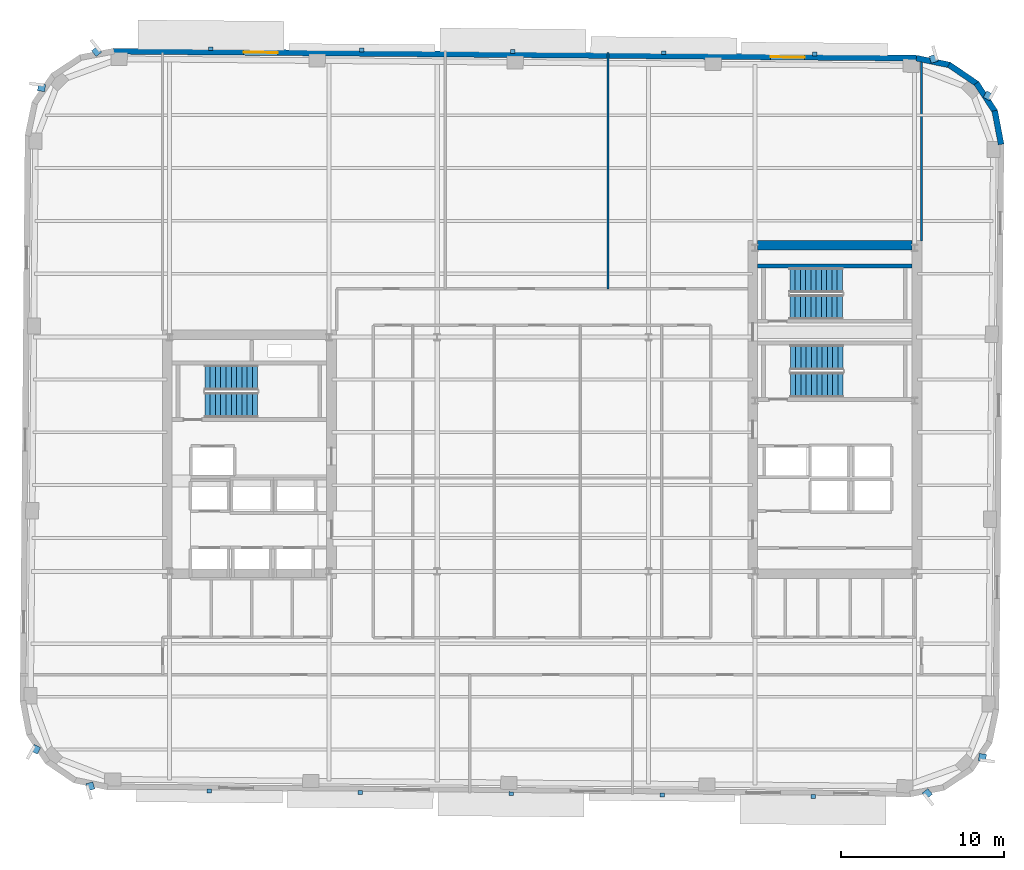
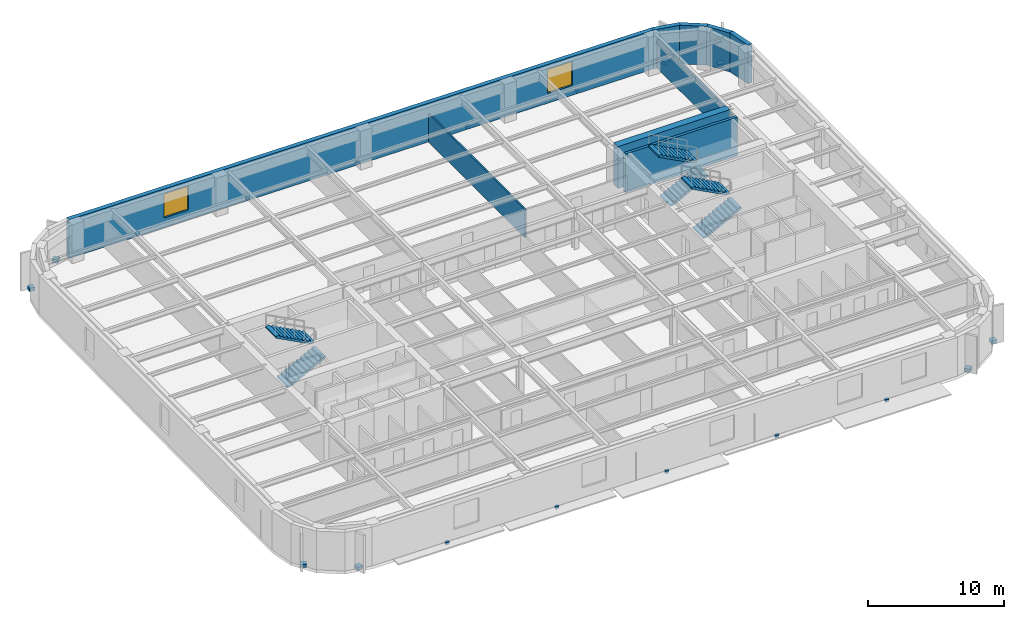
# One storey, part 7 of 12: 18 discrete accessories, 9 walls, 6 stair flights, 2 windows, 2 openings, 3 elements without a shape of their own.
"""IFC4 building model written with IfcOpenShell, lengths in metres."""

import ifcopenshell
import ifcopenshell.guid

model = None  # the IFC model being written
_history = None  # IfcOwnerHistory: only IFC2X3 demands one
_inside = {}  # id of a spatial element -> (the spatial element, [elements in it])
_under = {}  # id of a project, library or spatial element -> (it, [spatial elements below it])
_declared = {}  # id of a project -> (the project, [libraries it declares])
_typed = {}  # id of a type object -> (the type object, [elements of that type])
_made_of = {}  # id of a material, layer set ... -> (it, [elements and type objects made of it])


def new_model(schema):
    """Start an empty IFC model of exactly this schema.

    Asked for "IFC4X3", IfcOpenShell would pick the latest addendum, in which some entities
    have other attributes; the version numbers below select the first issue.
    IFC2X3 requires an IfcOwnerHistory on every rooted entity: one is made here for all.
    """
    global model, _history
    if schema == "IFC4X3":
        model = ifcopenshell.file(schema_version=(4, 3, 0, 0))
    else:
        model = ifcopenshell.file(schema=schema)
    _inside.clear()
    _under.clear()
    _declared.clear()
    _typed.clear()
    _made_of.clear()
    _history = None
    if model.schema == "IFC2X3":
        org = make("IfcOrganization", Name="unknown")
        user = make(
            "IfcPersonAndOrganization",
            ThePerson=make("IfcPerson", FamilyName="unknown"),
            TheOrganization=org,
        )
        app = make(
            "IfcApplication",
            ApplicationDeveloper=org,
            Version="unknown",
            ApplicationFullName="unknown",
            ApplicationIdentifier="unknown",
        )
        _history = make(
            "IfcOwnerHistory",
            OwningUser=user,
            OwningApplication=app,
            ChangeAction="ADDED",
            CreationDate=0,
        )
    return model


def make(cls, **values):
    """One entity of the class cls with the attributes given. An attribute that is None is left unset."""
    return model.create_entity(
        cls, **{name: value for name, value in values.items() if value is not None}
    )


def rooted(cls, **values):
    """An entity with a GlobalId (a new one), such as an element, a storey or a relation."""
    return make(cls, GlobalId=ifcopenshell.guid.new(), OwnerHistory=_history, **values)


def si_unit(unit_type, name, prefix=None):
    """IfcSIUnit, for example si_unit("LENGTHUNIT", "METRE", prefix="MILLI")."""
    return make("IfcSIUnit", UnitType=unit_type, Prefix=prefix, Name=name)


def assignment(units):
    """IfcUnitAssignment: the units of a project."""
    return None if units is None else make("IfcUnitAssignment", Units=units)


def point(xyz):
    """IfcCartesianPoint."""
    return None if xyz is None else make("IfcCartesianPoint", Coordinates=xyz)


def direction(xyz):
    """IfcDirection."""
    return None if xyz is None else make("IfcDirection", DirectionRatios=xyz)


def frame(location, z_axis=None, x_axis=None):
    """IfcAxis2Placement3D, a coordinate frame: its origin and axes. An axis left out is left unset."""
    return make(
        "IfcAxis2Placement3D",
        Location=point(location),
        Axis=direction(z_axis),
        RefDirection=direction(x_axis),
    )


def frame_2d(location, x_axis=None):
    """IfcAxis2Placement2D, a coordinate frame in the plane: its origin and x axis."""
    return make(
        "IfcAxis2Placement2D", Location=point(location), RefDirection=direction(x_axis)
    )


def origin():
    """The frame at (0, 0, 0) with its axes left unset."""
    return frame((0.0, 0.0, 0.0))


def origin_2d():
    """The frame at (0, 0) in the plane with its x axis left unset."""
    return frame_2d((0.0, 0.0))


def place(relative_to, where):
    """IfcLocalPlacement: puts the frame where relative to a parent placement (None: the world)."""
    return make(
        "IfcLocalPlacement", PlacementRelTo=relative_to, RelativePlacement=where
    )


def context(
    kind, dimensions, precision=None, world=None, true_north=None, identifier=None
):
    """IfcGeometricRepresentationContext, for example the 3D "Model" context."""
    return make(
        "IfcGeometricRepresentationContext",
        ContextIdentifier=identifier,
        ContextType=kind,
        CoordinateSpaceDimension=dimensions,
        Precision=precision,
        WorldCoordinateSystem=world,
        TrueNorth=true_north,
    )


def subcontext(parent, identifier, kind, view, scale=None):
    """IfcGeometricRepresentationSubContext, for example "Body" below "Model"."""
    return make(
        "IfcGeometricRepresentationSubContext",
        ContextIdentifier=identifier,
        ContextType=kind,
        ParentContext=parent,
        TargetScale=scale,
        TargetView=view,
    )


def project(units=None, contexts=None):
    """IfcProject with its units and contexts."""
    return rooted(
        "IfcProject",
        Name="project",
        RepresentationContexts=contexts,
        UnitsInContext=assignment(units),
    )


def spatial(cls, under=None, at=None, **own):
    """A site, building, storey or space (cls), placed at a placement, below another one or the project."""
    s = rooted(cls, ObjectPlacement=at, **own)
    if under is not None:
        _under.setdefault(under.id(), (under, []))[1].append(s)
    return s


def polyline(points):
    """IfcPolyline through the points."""
    return make("IfcPolyline", Points=[point(p) for p in points])


def profile(cls, at=None, kind="AREA", **sizes):
    """A parametric profile (cls). Its sizes go by their IFC names, for example OverallWidth=200.0."""
    return make(cls, ProfileType=kind, Position=at, **sizes)


def rectangle(**sizes):
    """IfcRectangleProfileDef."""
    return profile("IfcRectangleProfileDef", **sizes)


def outline(outer, holes=None, kind="AREA"):
    """IfcArbitraryClosedProfileDef: a profile drawn as a closed curve; with holes, ...WithVoids."""
    if holes is None:
        return make("IfcArbitraryClosedProfileDef", ProfileType=kind, OuterCurve=outer)
    return make(
        "IfcArbitraryProfileDefWithVoids",
        ProfileType=kind,
        OuterCurve=outer,
        InnerCurves=holes,
    )


def extrude(swept, where, along, depth):
    """IfcExtrudedAreaSolid: the profile swept, set in the frame where, extruded along a direction by depth."""
    return make(
        "IfcExtrudedAreaSolid",
        SweptArea=swept,
        Position=where,
        ExtrudedDirection=direction(along),
        Depth=depth,
    )


def shape(context_of_items, identifier, shape_type, items):
    """IfcShapeRepresentation: the items that make up one representation, for example the "Body"."""
    return make(
        "IfcShapeRepresentation",
        ContextOfItems=context_of_items,
        RepresentationIdentifier=identifier,
        RepresentationType=shape_type,
        Items=items,
    )


def material(Name=None, Category=None):
    """IfcMaterial."""
    return make("IfcMaterial", Name=Name, Category=Category)


def layer(
    of_material, thickness, ventilated=None, Name=None, Category=None, Priority=None
):
    """IfcMaterialLayer: one layer of a wall or slab, of a material (None: an air gap)."""
    return make(
        "IfcMaterialLayer",
        Material=of_material,
        LayerThickness=thickness,
        IsVentilated=ventilated,
        Name=Name,
        Category=Category,
        Priority=Priority,
    )


def layer_set(layers, Name=None):
    """IfcMaterialLayerSet."""
    return make("IfcMaterialLayerSet", MaterialLayers=layers, LayerSetName=Name)


def made_of(thing, what):
    """Note that an element or type object is made of a material, layer set ...; save() writes the relation."""
    if what is not None:
        _made_of.setdefault(what.id(), (what, []))[1].append(thing)
    return thing


def type_object(cls, material=None, **own):
    """A type object (cls), such as IfcWallType, which elements share."""
    return made_of(rooted(cls, **own), material)


def element(
    cls,
    number,
    at=None,
    inside=None,
    cuts=None,
    type_object=None,
    material=None,
    context=None,
    identifier="Body",
    shape_type=None,
    held_by="IfcProductDefinitionShape",
    body=None,
    shapes=None,
    **own,
):
    """One element of the class cls, such as IfcWall. Its Tag is "e" and its number.

    at: its placement. inside: the storey or other place that contains it. cuts: it is an
    opening in that element (IfcRelVoidsElement). A single representation is given by context,
    identifier, shape_type and body (its items); several are given by shapes. held_by: the class
    of the entity that holds the representations. save() writes the other relations.
    """
    e = rooted(cls, Tag="e%d" % number, ObjectPlacement=at, **own)
    if body is not None:
        shapes = [shape(context, identifier, shape_type, body)]
    if shapes is not None:
        e.Representation = make(held_by, Representations=shapes)
    if inside is not None:
        _inside.setdefault(inside.id(), (inside, []))[1].append(e)
    if cuts is not None:
        rooted(
            "IfcRelVoidsElement", RelatingBuildingElement=cuts, RelatedOpeningElement=e
        )
    if type_object is not None:
        _typed.setdefault(type_object.id(), (type_object, []))[1].append(e)
    return made_of(e, material)


def fill(opening, filler):
    """IfcRelFillsElement: the door or window that sits in an opening."""
    return rooted(
        "IfcRelFillsElement",
        RelatingOpeningElement=opening,
        RelatedBuildingElement=filler,
    )


def aggregate(whole, parts):
    """IfcRelAggregates: a whole, such as a stair, and the parts it consists of."""
    return rooted("IfcRelAggregates", RelatingObject=whole, RelatedObjects=parts)


def save(model, path):
    """Write the relations noted so far, then the file.

    IfcRelAggregates (storeys below a building ...), IfcRelContainedInSpatialStructure (elements
    in a storey), IfcRelDefinesByType, IfcRelAssociatesMaterial and IfcRelDeclares: one each for
    every whole, place, type object, material and project.
    """
    for whole, parts in _under.values():
        aggregate(whole, parts)
    for where, things in _inside.values():
        rooted(
            "IfcRelContainedInSpatialStructure",
            RelatedElements=things,
            RelatingStructure=where,
        )
    for kind, things in _typed.values():
        rooted("IfcRelDefinesByType", RelatedObjects=things, RelatingType=kind)
    for what, things in _made_of.values():
        rooted("IfcRelAssociatesMaterial", RelatedObjects=things, RelatingMaterial=what)
    for by, libraries in _declared.values():
        rooted("IfcRelDeclares", RelatingContext=by, RelatedDefinitions=libraries)
    model.write(path)


model = new_model("IFC4")

# Units and contexts
model_context = context("Model", 3, precision=1e-05, world=origin(), true_north=direction((0.0, 1.0)))
body_context = subcontext(model_context, "Body", "Model", "MODEL_VIEW")
ifc_project = project(units=[si_unit("LENGTHUNIT", "METRE"), si_unit("AREAUNIT", "SQUARE_METRE"), si_unit("VOLUMEUNIT", "CUBIC_METRE"), si_unit("PLANEANGLEUNIT", "RADIAN"), si_unit("MASSUNIT", "GRAM", prefix="KILO")], contexts=[model_context])

# Site, building, storey
site_placement = place(None, origin())
site = spatial("IfcSite", under=ifc_project, at=site_placement, CompositionType="ELEMENT")
building_placement = place(site_placement, origin())
building = spatial("IfcBuilding", under=site, at=building_placement, Name="Kolvaren Arena Tower", CompositionType="ELEMENT")
storey_placement = place(building_placement, frame((0.0, 0.0, 165.949951171875)))
storey = spatial("IfcBuildingStorey", under=building, at=storey_placement, Name="L39", CompositionType="ELEMENT", Elevation=165.949951171875)

# Walls
ifc_material_1 = material(Name="Concrete 60 MPa", Category="concrete")
ifc_layer_1 = layer(ifc_material_1, 0.60009765625)
ifc_layer_set_1 = layer_set([ifc_layer_1], Name="Concrete 60 MPa")
wall_type_1 = type_object("IfcWallType", Name="CWALL-600", PredefinedType="SHEAR", material=ifc_layer_set_1)
wall_1_placement = place(storey_placement, frame((50.699951171875, 39.5, -0.27001953125), z_axis=(0.0, 0.0, 1.0), x_axis=(1.0, 0.0, 0.0)))
element("IfcWall", 1, at=wall_1_placement, inside=storey, type_object=wall_type_1, Name="Core Shear Wall EC-NORTH (L39)", PredefinedType="SHEAR", context=body_context, shape_type="SweptSolid", body=[
    extrude(rectangle(XDim=9.5, YDim=0.60009765625, at=frame_2d((4.75, 0.0))), origin(), (0.0, 0.0, 1.0), 3.75),
])
ifc_material_2 = material(Name="Precast concrete C50/60", Category="concrete")
ifc_layer_2 = layer(ifc_material_2, 0.360107421875)
ifc_layer_set_2 = layer_set([ifc_layer_2], Name="Precast concrete C50/60")
wall_type_2 = type_object("IfcWallType", Name="EXT-PIER2", PredefinedType="SOLIDWALL", material=ifc_layer_set_2)
wall_2_placement = place(storey_placement, frame((65.281005859375, 47.773193359375, 0.0), z_axis=(0.0, 0.0, 1.0), x_axis=(0.186435855703, -0.98246713518, 0.0)))
element("IfcWall", 2, at=wall_2_placement, inside=storey, type_object=wall_type_2, Name="Exterior Precast Masonry-Frame Wall (L39)", PredefinedType="SOLIDWALL", context=body_context, shape_type="SweptSolid", body=[
    extrude(rectangle(XDim=2.10693359375, YDim=0.360107421875, at=frame_2d((1.053466796875, 0.0))), origin(), (0.0, 0.0, 1.0), 3.47998046875),
])
wall_3_placement = place(storey_placement, frame((64.152099609375, 49.469970703125, 0.0), z_axis=(0.0, 0.0, 1.0), x_axis=(0.548238722478, -0.83632188969, 0.0)))
element("IfcWall", 3, at=wall_3_placement, inside=storey, type_object=wall_type_2, Name="Exterior Precast Masonry-Frame Wall (L39)", PredefinedType="SOLIDWALL", context=body_context, shape_type="SweptSolid", body=[
    extrude(rectangle(XDim=2.106689453125, YDim=0.360107421875, at=frame_2d((1.05322265625, 0.0))), origin(), (0.0, 0.0, 1.0), 3.47998046875),
])
wall_4_placement = place(storey_placement, frame((62.45947265625, 50.605712890625, 0.0), z_axis=(0.0, 0.0, 1.0), x_axis=(0.826609569219, -0.56277581689, 0.0)))
element("IfcWall", 4, at=wall_4_placement, inside=storey, type_object=wall_type_2, Name="Exterior Precast Masonry-Frame Wall (L39)", PredefinedType="SOLIDWALL", context=body_context, shape_type="SweptSolid", body=[
    extrude(rectangle(XDim=2.10693359375, YDim=0.360107421875, at=frame_2d((1.053466796875, 0.0))), origin(), (0.0, 0.0, 1.0), 3.47998046875),
])
wall_5_placement = place(storey_placement, frame((60.461181640625, 51.00732421875, 0.0), z_axis=(0.0, 0.0, 1.0), x_axis=(0.979059388908, -0.203574833883, 0.0)))
element("IfcWall", 5, at=wall_5_placement, inside=storey, type_object=wall_type_2, Name="Exterior Precast Masonry-Frame Wall (L39)", PredefinedType="SOLIDWALL", context=body_context, shape_type="SweptSolid", body=[
    extrude(rectangle(XDim=2.107177734375, YDim=0.360107421875, at=frame_2d((1.0537109375, 0.0))), origin(), (0.0, 0.0, 1.0), 3.47998046875),
])

# Wall, openings, windows
wall_6_placement = place(storey_placement, frame((11.098388671875, 51.434814453125, 0.0), z_axis=(0.0, 0.0, 1.0), x_axis=(0.99996191194, -0.008727810138, 0.0)))
wall_6 = element("IfcWall", 6, at=wall_6_placement, inside=storey, type_object=wall_type_2, Name="Exterior Precast Masonry-Frame Wall (L39)", PredefinedType="SOLIDWALL", context=body_context, shape_type="SweptSolid", body=[
    extrude(rectangle(XDim=49.39990234375, YDim=0.360107421875, at=frame_2d((24.699951171875, 0.0))), origin(), (0.0, 0.0, 1.0), 3.47998046875),
])
opening_1_placement = place(wall_6_placement, frame((8.0, 0.0, 0.8798828125)))
opening_1 = element("IfcOpeningElement", 7, at=opening_1_placement, cuts=wall_6, Name="Opening W01", PredefinedType="OPENING", context=body_context, shape_type="SweptSolid", body=[
    extrude(rectangle(XDim=2.10009765625, YDim=2.14990234375, at=frame_2d((1.050048828125, 1.074951171875))), frame((0.0, 0.18994140625, 0.0), z_axis=(0.0, -1.0, 0.0), x_axis=(1.0, 0.0, 0.0)), (0.0, 0.0, 1.0), 0.380126953125),
])
opening_2_placement = place(wall_6_placement, frame((40.39990234375, 0.0, 0.8798828125)))
opening_2 = element("IfcOpeningElement", 8, at=opening_2_placement, cuts=wall_6, Name="Opening W01", PredefinedType="OPENING", context=body_context, shape_type="SweptSolid", body=[
    extrude(rectangle(XDim=2.10009765625, YDim=2.14990234375, at=frame_2d((1.050048828125, 1.074951171875))), frame((0.0, 0.18994140625, 0.0), z_axis=(0.0, -1.0, 0.0), x_axis=(1.0, 0.0, 0.0)), (0.0, 0.0, 1.0), 0.380126953125),
])
ifc_material_3 = material(Name="Triple-glazed low-E aluminium window", Category="aluminium")
window_type = type_object("IfcWindowType", Name="WIN-OFF-A", PartitioningType="DOUBLE_PANEL_VERTICAL", PredefinedType="WINDOW", material=ifc_material_3)
window_1_placement = place(opening_1_placement, origin())
window_1 = element("IfcWindow", 9, at=window_1_placement, inside=storey, type_object=window_type, Name="Punched Precast-Pier Window (L39)", OverallHeight=2.14990234375, OverallWidth=2.10009765625, PartitioningType="DOUBLE_PANEL_VERTICAL", PredefinedType="WINDOW", context=body_context, shape_type="SweptSolid", body=[
    extrude(rectangle(XDim=2.10009765625, YDim=2.14990234375, at=frame_2d((1.050048828125, 1.074951171875))), frame((0.0, 0.030029296875, 0.0), z_axis=(0.0, -1.0, 0.0), x_axis=(1.0, 0.0, 0.0)), (0.0, 0.0, 1.0), 0.06005859375),
])
fill(opening_1, window_1)
window_2_placement = place(opening_2_placement, origin())
window_2 = element("IfcWindow", 10, at=window_2_placement, inside=storey, type_object=window_type, Name="Punched Precast-Pier Window (L39)", OverallHeight=2.14990234375, OverallWidth=2.10009765625, PartitioningType="DOUBLE_PANEL_VERTICAL", PredefinedType="WINDOW", context=body_context, shape_type="SweptSolid", body=[
    extrude(rectangle(XDim=2.10009765625, YDim=2.14990234375, at=frame_2d((1.050048828125, 1.074951171875))), frame((0.0, 0.030029296875, 0.0), z_axis=(0.0, -1.0, 0.0), x_axis=(1.0, 0.0, 0.0)), (0.0, 0.0, 1.0), 0.06005859375),
])
fill(opening_2, window_2)

# Walls
ifc_material_4 = material(Name="Gypsum board partition assembly", Category="gypsum")
ifc_layer_3 = layer(ifc_material_4, 0.135009765625)
ifc_layer_set_3 = layer_set([ifc_layer_3], Name="Gypsum board partition assembly")
wall_type_3 = type_object("IfcWallType", Name="PART-135", PredefinedType="PARTITIONING", material=ifc_layer_set_3)
wall_7_placement = place(storey_placement, frame((41.5, 36.820068359375, 0.0), z_axis=(0.0, 0.0, 1.0), x_axis=(0.0, 1.0, 0.0)))
element("IfcWall", 11, at=wall_7_placement, inside=storey, type_object=wall_type_3, Name="Interior Partition Wall (L39)", PredefinedType="PARTITIONING", context=body_context, shape_type="SweptSolid", body=[
    extrude(rectangle(XDim=14.529296875, YDim=0.135009765625, at=frame_2d((7.2646484375, 0.0))), origin(), (0.0, 0.0, 1.0), 2.5400390625),
])
wall_8_placement = place(storey_placement, frame((60.780029296875, 39.75, 0.0), z_axis=(0.0, 0.0, 1.0), x_axis=(0.0, 1.0, 0.0)))
element("IfcWall", 12, at=wall_8_placement, inside=storey, type_object=wall_type_3, Name="Interior Partition Wall (L39)", PredefinedType="PARTITIONING", context=body_context, shape_type="SweptSolid", body=[
    extrude(rectangle(XDim=11.1298828125, YDim=0.135009765625, at=frame_2d((5.56494140625, 0.0))), origin(), (0.0, 0.0, 1.0), 2.5400390625),
])
ifc_material_5 = material(Name="Concrete 45 MPa", Category="concrete")
ifc_layer_4 = layer(ifc_material_5, 0.25)
ifc_layer_set_4 = layer_set([ifc_layer_4], Name="Concrete 45 MPa")
wall_type_4 = type_object("IfcWallType", Name="SHAFT-250", PredefinedType="SOLIDWALL", material=ifc_layer_set_4)
wall_9_placement = place(storey_placement, frame((50.699951171875, 38.219970703125, 0.0), z_axis=(0.0, 0.0, 1.0), x_axis=(1.0, 0.0, 0.0)))
element("IfcWall", 13, at=wall_9_placement, inside=storey, type_object=wall_type_4, Name="Core Shaft Wall (L39)", PredefinedType="SOLIDWALL", context=body_context, shape_type="SweptSolid", body=[
    extrude(rectangle(XDim=9.5, YDim=0.239990234375, at=frame_2d((4.75, 0.0))), origin(), (0.0, 0.0, 1.0), 3.47998046875),
])

# Stair, stair flights
stair_type_1 = type_object("IfcStairType", Name="STAIR-CORE-150", PredefinedType="HALF_TURN_STAIR", material=ifc_material_5)
stair_1_placement = place(storey_placement, origin())
stair_1 = element("IfcStair", 14, at=stair_1_placement, inside=storey, type_object=stair_type_1, Name="L39 ST-E2", PredefinedType="HALF_TURN_STAIR")
stair_flight_type_1 = type_object("IfcStairFlightType", Name="FLT-150", PredefinedType="STRAIGHT", material=ifc_material_5)
stair_flight_1_placement = place(storey_placement, frame((52.679931640625, 35.699951171875, 0.0), z_axis=(0.0, 0.0, 1.0), x_axis=(1.0, 0.0, 0.0)))
stair_flight_1 = element("IfcStairFlight", 15, at=stair_flight_1_placement, type_object=stair_flight_type_1, Name="ST-E2 flight 1", NumberOfRisers=11, NumberOfTreads=10, PredefinedType="STRAIGHT", RiserHeight=0.170454545, TreadLength=0.324, context=body_context, shape_type="SweptSolid", body=[
    extrude(outline(polyline([(0.0, 0.0), (0.0, 0.17041015625), (0.323974609375, 0.17041015625), (0.323974609375, 0.3408203125), (0.64794921875, 0.3408203125), (0.64794921875, 0.511474609375), (0.971923828125, 0.511474609375), (0.971923828125, 0.681884765625), (1.2958984375, 0.681884765625), (1.2958984375, 0.852294921875), (1.6201171875, 0.852294921875), (1.6201171875, 1.022705078125), (1.944091796875, 1.022705078125), (1.944091796875, 1.193115234375), (2.26806640625, 1.193115234375), (2.26806640625, 1.363525390625), (2.592041015625, 1.363525390625), (2.592041015625, 1.5341796875), (2.916015625, 1.5341796875), (2.916015625, 1.70458984375), (3.239990234375, 1.70458984375), (3.239990234375, 1.875), (3.239990234375, 1.53515625), (0.322021484375, 0.0), (0.0, 0.0)])), frame((0.0, 0.75, 0.0), z_axis=(0.0, -1.0, 0.0), x_axis=(1.0, 0.0, 0.0)), (0.0, 0.0, 1.0), 1.5),
])
stair_flight_2_placement = place(storey_placement, frame((55.919921875, 37.35009765625, 1.875), z_axis=(0.0, 0.0, 1.0), x_axis=(-1.0, 0.0, 0.0)))
stair_flight_2 = element("IfcStairFlight", 16, at=stair_flight_2_placement, type_object=stair_flight_type_1, Name="ST-E2 flight 2", NumberOfRisers=11, NumberOfTreads=10, PredefinedType="STRAIGHT", RiserHeight=0.170454545, TreadLength=0.324, context=body_context, shape_type="SweptSolid", body=[
    extrude(outline(polyline([(0.0, 0.0), (0.0, 0.17041015625), (0.323974609375, 0.17041015625), (0.323974609375, 0.3408203125), (0.64794921875, 0.3408203125), (0.64794921875, 0.511474609375), (0.971923828125, 0.511474609375), (0.971923828125, 0.681884765625), (1.2958984375, 0.681884765625), (1.2958984375, 0.852294921875), (1.6201171875, 0.852294921875), (1.6201171875, 1.022705078125), (1.944091796875, 1.022705078125), (1.944091796875, 1.193115234375), (2.26806640625, 1.193115234375), (2.26806640625, 1.363525390625), (2.592041015625, 1.363525390625), (2.592041015625, 1.5341796875), (2.916015625, 1.5341796875), (2.916015625, 1.70458984375), (3.239990234375, 1.70458984375), (3.239990234375, 1.875), (3.239990234375, 1.53515625), (0.322021484375, 0.0), (0.0, 0.0)])), frame((0.0, 0.75, 0.0), z_axis=(0.0, -1.0, 0.0), x_axis=(1.0, 0.0, 0.0)), (0.0, 0.0, 1.0), 1.5),
])
aggregate(stair_1, [stair_flight_1, stair_flight_2])

stair_type_2 = type_object("IfcStairType", Name="STAIR-CORE-165", PredefinedType="HALF_TURN_STAIR", material=ifc_material_5)
stair_2_placement = place(storey_placement, origin())
stair_2 = element("IfcStair", 17, at=stair_2_placement, inside=storey, type_object=stair_type_2, Name="L39 ST-W1", PredefinedType="HALF_TURN_STAIR")
stair_flight_type_2 = type_object("IfcStairFlightType", Name="FLT-165", PredefinedType="STRAIGHT", material=ifc_material_5)
stair_flight_3_placement = place(storey_placement, frame((16.719970703125, 29.669921875, 0.0), z_axis=(0.0, 0.0, 1.0), x_axis=(1.0, 0.0, 0.0)))
stair_flight_3 = element("IfcStairFlight", 18, at=stair_flight_3_placement, type_object=stair_flight_type_2, Name="ST-W1 flight 1", NumberOfRisers=11, NumberOfTreads=10, PredefinedType="STRAIGHT", RiserHeight=0.170454545, TreadLength=0.324, context=body_context, shape_type="SweptSolid", body=[
    extrude(outline(polyline([(0.0, 0.0), (0.0, 0.17041015625), (0.323974609375, 0.17041015625), (0.323974609375, 0.3408203125), (0.64794921875, 0.3408203125), (0.64794921875, 0.511474609375), (0.971923828125, 0.511474609375), (0.971923828125, 0.681884765625), (1.2958984375, 0.681884765625), (1.2958984375, 0.852294921875), (1.6201171875, 0.852294921875), (1.6201171875, 1.022705078125), (1.944091796875, 1.022705078125), (1.944091796875, 1.193115234375), (2.26806640625, 1.193115234375), (2.26806640625, 1.363525390625), (2.592041015625, 1.363525390625), (2.592041015625, 1.5341796875), (2.916015625, 1.5341796875), (2.916015625, 1.70458984375), (3.239990234375, 1.70458984375), (3.239990234375, 1.875), (3.239990234375, 1.53515625), (0.322021484375, 0.0), (0.0, 0.0)])), frame((0.0, 0.77001953125, 0.0), z_axis=(0.0, -1.0, 0.0), x_axis=(1.0, 0.0, 0.0)), (0.0, 0.0, 1.0), 1.5400390625),
])
stair_flight_4_placement = place(storey_placement, frame((19.9599609375, 31.360107421875, 1.875), z_axis=(0.0, 0.0, 1.0), x_axis=(-1.0, 0.0, 0.0)))
stair_flight_4 = element("IfcStairFlight", 19, at=stair_flight_4_placement, type_object=stair_flight_type_2, Name="ST-W1 flight 2", NumberOfRisers=11, NumberOfTreads=10, PredefinedType="STRAIGHT", RiserHeight=0.170454545, TreadLength=0.324, context=body_context, shape_type="SweptSolid", body=[
    extrude(outline(polyline([(0.0, 0.0), (0.0, 0.17041015625), (0.323974609375, 0.17041015625), (0.323974609375, 0.3408203125), (0.64794921875, 0.3408203125), (0.64794921875, 0.511474609375), (0.971923828125, 0.511474609375), (0.971923828125, 0.681884765625), (1.2958984375, 0.681884765625), (1.2958984375, 0.852294921875), (1.6201171875, 0.852294921875), (1.6201171875, 1.022705078125), (1.944091796875, 1.022705078125), (1.944091796875, 1.193115234375), (2.26806640625, 1.193115234375), (2.26806640625, 1.363525390625), (2.592041015625, 1.363525390625), (2.592041015625, 1.5341796875), (2.916015625, 1.5341796875), (2.916015625, 1.70458984375), (3.239990234375, 1.70458984375), (3.239990234375, 1.875), (3.239990234375, 1.53515625), (0.322021484375, 0.0), (0.0, 0.0)])), frame((0.0, 0.77001953125, 0.0), z_axis=(0.0, -1.0, 0.0), x_axis=(1.0, 0.0, 0.0)), (0.0, 0.0, 1.0), 1.5400390625),
])
aggregate(stair_2, [stair_flight_3, stair_flight_4])

stair_3_placement = place(storey_placement, origin())
stair_3 = element("IfcStair", 20, at=stair_3_placement, inside=storey, type_object=stair_type_2, Name="L39 ST-E1", PredefinedType="HALF_TURN_STAIR")
stair_flight_5_placement = place(storey_placement, frame((52.719970703125, 30.919921875, 0.0), z_axis=(0.0, 0.0, 1.0), x_axis=(1.0, 0.0, 0.0)))
stair_flight_5 = element("IfcStairFlight", 21, at=stair_flight_5_placement, type_object=stair_flight_type_2, Name="ST-E1 flight 1", NumberOfRisers=11, NumberOfTreads=10, PredefinedType="STRAIGHT", RiserHeight=0.170454545, TreadLength=0.324, context=body_context, shape_type="SweptSolid", body=[
    extrude(outline(polyline([(0.0, 0.0), (0.0, 0.17041015625), (0.323974609375, 0.17041015625), (0.323974609375, 0.3408203125), (0.64794921875, 0.3408203125), (0.64794921875, 0.511474609375), (0.971923828125, 0.511474609375), (0.971923828125, 0.681884765625), (1.2958984375, 0.681884765625), (1.2958984375, 0.852294921875), (1.6201171875, 0.852294921875), (1.6201171875, 1.022705078125), (1.944091796875, 1.022705078125), (1.944091796875, 1.193115234375), (2.26806640625, 1.193115234375), (2.26806640625, 1.363525390625), (2.592041015625, 1.363525390625), (2.592041015625, 1.5341796875), (2.916015625, 1.5341796875), (2.916015625, 1.70458984375), (3.239990234375, 1.70458984375), (3.239990234375, 1.875), (3.239990234375, 1.53515625), (0.322021484375, 0.0), (0.0, 0.0)])), frame((0.0, 0.77001953125, 0.0), z_axis=(0.0, -1.0, 0.0), x_axis=(1.0, 0.0, 0.0)), (0.0, 0.0, 1.0), 1.5400390625),
])
stair_flight_6_placement = place(storey_placement, frame((55.9599609375, 32.610107421875, 1.875), z_axis=(0.0, 0.0, 1.0), x_axis=(-1.0, 0.0, 0.0)))
stair_flight_6 = element("IfcStairFlight", 22, at=stair_flight_6_placement, type_object=stair_flight_type_2, Name="ST-E1 flight 2", NumberOfRisers=11, NumberOfTreads=10, PredefinedType="STRAIGHT", RiserHeight=0.170454545, TreadLength=0.324, context=body_context, shape_type="SweptSolid", body=[
    extrude(outline(polyline([(0.0, 0.0), (0.0, 0.17041015625), (0.323974609375, 0.17041015625), (0.323974609375, 0.3408203125), (0.64794921875, 0.3408203125), (0.64794921875, 0.511474609375), (0.971923828125, 0.511474609375), (0.971923828125, 0.681884765625), (1.2958984375, 0.681884765625), (1.2958984375, 0.852294921875), (1.6201171875, 0.852294921875), (1.6201171875, 1.022705078125), (1.944091796875, 1.022705078125), (1.944091796875, 1.193115234375), (2.26806640625, 1.193115234375), (2.26806640625, 1.363525390625), (2.592041015625, 1.363525390625), (2.592041015625, 1.5341796875), (2.916015625, 1.5341796875), (2.916015625, 1.70458984375), (3.239990234375, 1.70458984375), (3.239990234375, 1.875), (3.239990234375, 1.53515625), (0.322021484375, 0.0), (0.0, 0.0)])), frame((0.0, 0.77001953125, 0.0), z_axis=(0.0, -1.0, 0.0), x_axis=(1.0, 0.0, 0.0)), (0.0, 0.0, 1.0), 1.5400390625),
])
aggregate(stair_3, [stair_flight_5, stair_flight_6])

# Discrete accessories
ifc_material_6 = material(Name="Stainless steel facade support bracket", Category="steel")
discrete_accessory_type = type_object("IfcDiscreteAccessoryType", Name="ACC-BRKT-1", PredefinedType="BRACKET", material=ifc_material_6)
for number, where, z_axis, x_axis, name in (
    (23, (61.135009765625, 5.78173828125, 0.02001953125), (0.0, 0.0, 1.0), (0.625923472184, -0.779884483093, 0.0), "Corner Fin Anchor Bracket (L39)"),
    (24, (64.52490234375, 8.00439453125, 0.02001953125), (0.0, 0.0, 1.0), (0.994056908234, -0.108861669984, 0.0), "Corner Fin Anchor Bracket (L39)"),
    (25, (64.880126953125, 48.687744140625, 0.02001953125), (0.0, 0.0, 1.0), (0.480994889615, 0.876723397751, 0.0), "Corner Fin Anchor Bracket (L39)"),
    (26, (61.529296875, 50.968994140625, 0.02001953125), (0.0, 0.0, 1.0), (-0.279812257957, 0.960054738177, 0.0), "Corner Fin Anchor Bracket (L39)"),
):
    element("IfcDiscreteAccessory", number, at=place(storey_placement, frame(where, z_axis=z_axis, x_axis=x_axis)), inside=storey, type_object=discrete_accessory_type, Name=name, PredefinedType="BRACKET", context=body_context, shape_type="SweptSolid", body=[
        extrude(rectangle(XDim=0.449951171875, YDim=0.449951171875, at=origin_2d()), origin(), (0.0, 0.0, 1.0), 0.300048828125),
    ])
for number, where, z_axis, x_axis, name in (
    (27, (17.08984375, 51.58251953125, -0.18017578125), (0.0, 0.0, 1.0), (0.999961923064, -0.008726535498, 0.0), "Sunshade Support Bracket (L39)"),
    (28, (26.369384765625, 51.50146484375, -0.18017578125), (0.0, 0.0, 1.0), (0.999961923064, -0.008726535498, 0.0), "Sunshade Support Bracket (L39)"),
    (29, (35.649169921875, 51.42041015625, -0.18017578125), (0.0, 0.0, 1.0), (0.999961923064, -0.008726535498, 0.0), "Sunshade Support Bracket (L39)"),
    (30, (44.9287109375, 51.339599609375, -0.18017578125), (0.0, 0.0, 1.0), (0.999961923064, -0.008726535498, 0.0), "Sunshade Support Bracket (L39)"),
    (31, (54.20849609375, 51.258544921875, -0.18017578125), (0.0, 0.0, 1.0), (0.999961923064, -0.008726535498, 0.0), "Sunshade Support Bracket (L39)"),
):
    element("IfcDiscreteAccessory", number, at=place(storey_placement, frame(where, z_axis=z_axis, x_axis=x_axis)), inside=storey, type_object=discrete_accessory_type, Name=name, PredefinedType="BRACKET", context=body_context, shape_type="SweptSolid", body=[
        extrude(rectangle(XDim=0.280029296875, YDim=0.239990234375, at=origin_2d()), origin(), (0.0, 0.0, 1.0), 0.239990234375),
    ])
for number, where, z_axis, x_axis, name in (
    (32, (10.06494140625, 51.418212890625, 0.02001953125), (0.0, 0.0, 1.0), (-0.625923472184, 0.779884483093, 0.0), "Corner Fin Anchor Bracket (L39)"),
    (33, (6.675048828125, 49.195556640625, 0.02001953125), (0.0, 0.0, 1.0), (-0.994056908234, 0.108861669984, 0.0), "Corner Fin Anchor Bracket (L39)"),
    (34, (6.31982421875, 8.51220703125, 0.02001953125), (0.0, 0.0, 1.0), (-0.480994889615, -0.876723397751, 0.0), "Corner Fin Anchor Bracket (L39)"),
    (35, (9.670654296875, 6.23095703125, 0.02001953125), (0.0, 0.0, 1.0), (0.279812257957, -0.960054738177, 0.0), "Corner Fin Anchor Bracket (L39)"),
):
    element("IfcDiscreteAccessory", number, at=place(storey_placement, frame(where, z_axis=z_axis, x_axis=x_axis)), inside=storey, type_object=discrete_accessory_type, Name=name, PredefinedType="BRACKET", context=body_context, shape_type="SweptSolid", body=[
        extrude(rectangle(XDim=0.449951171875, YDim=0.449951171875, at=origin_2d()), origin(), (0.0, 0.0, 1.0), 0.300048828125),
    ])
for number, where, z_axis, x_axis, name in (
    (36, (54.110107421875, 5.61767578125, -0.18017578125), (0.0, 0.0, 1.0), (-0.999961923064, 0.008726535498, 0.0), "Sunshade Support Bracket (L39)"),
    (37, (44.83056640625, 5.698486328125, -0.18017578125), (0.0, 0.0, 1.0), (-0.999961923064, 0.008726535498, 0.0), "Sunshade Support Bracket (L39)"),
    (38, (35.55078125, 5.779541015625, -0.18017578125), (0.0, 0.0, 1.0), (-0.999961923064, 0.008726535498, 0.0), "Sunshade Support Bracket (L39)"),
    (39, (26.271240234375, 5.860595703125, -0.18017578125), (0.0, 0.0, 1.0), (-0.999961923064, 0.008726535498, 0.0), "Sunshade Support Bracket (L39)"),
    (40, (16.99169921875, 5.94140625, -0.18017578125), (0.0, 0.0, 1.0), (-0.999961923064, 0.008726535498, 0.0), "Sunshade Support Bracket (L39)"),
):
    element("IfcDiscreteAccessory", number, at=place(storey_placement, frame(where, z_axis=z_axis, x_axis=x_axis)), inside=storey, type_object=discrete_accessory_type, Name=name, PredefinedType="BRACKET", context=body_context, shape_type="SweptSolid", body=[
        extrude(rectangle(XDim=0.280029296875, YDim=0.239990234375, at=origin_2d()), origin(), (0.0, 0.0, 1.0), 0.239990234375),
    ])

save(model, "model.ifc")
